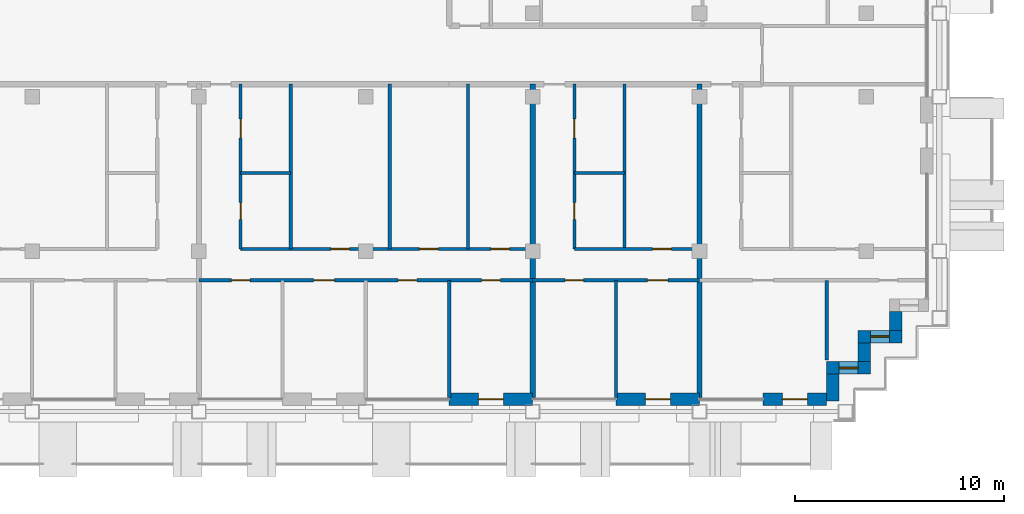
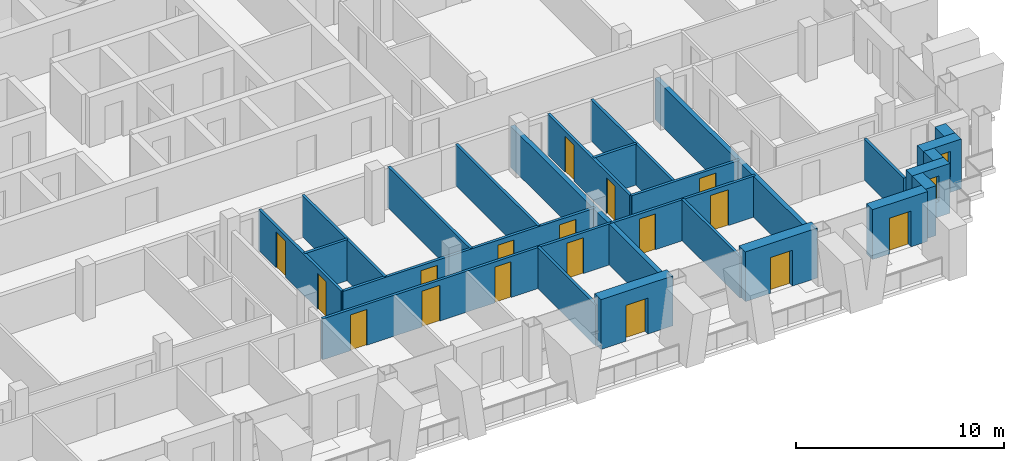
# One storey, part 9 of 16: 25 walls, 17 doors, 2 windows, 19 openings.
"""IFC4 building model written with IfcOpenShell, lengths in metres."""

import ifcopenshell
import ifcopenshell.guid

model = None  # the IFC model being written
_history = None  # IfcOwnerHistory: only IFC2X3 demands one
_inside = {}  # id of a spatial element -> (the spatial element, [elements in it])
_under = {}  # id of a project, library or spatial element -> (it, [spatial elements below it])
_declared = {}  # id of a project -> (the project, [libraries it declares])
_typed = {}  # id of a type object -> (the type object, [elements of that type])
_made_of = {}  # id of a material, layer set ... -> (it, [elements and type objects made of it])


def new_model(schema):
    """Start an empty IFC model of exactly this schema.

    Asked for "IFC4X3", IfcOpenShell would pick the latest addendum, in which some entities
    have other attributes; the version numbers below select the first issue.
    IFC2X3 requires an IfcOwnerHistory on every rooted entity: one is made here for all.
    """
    global model, _history
    if schema == "IFC4X3":
        model = ifcopenshell.file(schema_version=(4, 3, 0, 0))
    else:
        model = ifcopenshell.file(schema=schema)
    _inside.clear()
    _under.clear()
    _declared.clear()
    _typed.clear()
    _made_of.clear()
    _history = None
    if model.schema == "IFC2X3":
        org = make("IfcOrganization", Name="unknown")
        user = make(
            "IfcPersonAndOrganization",
            ThePerson=make("IfcPerson", FamilyName="unknown"),
            TheOrganization=org,
        )
        app = make(
            "IfcApplication",
            ApplicationDeveloper=org,
            Version="unknown",
            ApplicationFullName="unknown",
            ApplicationIdentifier="unknown",
        )
        _history = make(
            "IfcOwnerHistory",
            OwningUser=user,
            OwningApplication=app,
            ChangeAction="ADDED",
            CreationDate=0,
        )
    return model


def make(cls, **values):
    """One entity of the class cls with the attributes given. An attribute that is None is left unset."""
    return model.create_entity(
        cls, **{name: value for name, value in values.items() if value is not None}
    )


def rooted(cls, **values):
    """An entity with a GlobalId (a new one), such as an element, a storey or a relation."""
    return make(cls, GlobalId=ifcopenshell.guid.new(), OwnerHistory=_history, **values)


def si_unit(unit_type, name, prefix=None):
    """IfcSIUnit, for example si_unit("LENGTHUNIT", "METRE", prefix="MILLI")."""
    return make("IfcSIUnit", UnitType=unit_type, Prefix=prefix, Name=name)


def assignment(units):
    """IfcUnitAssignment: the units of a project."""
    return None if units is None else make("IfcUnitAssignment", Units=units)


def point(xyz):
    """IfcCartesianPoint."""
    return None if xyz is None else make("IfcCartesianPoint", Coordinates=xyz)


def direction(xyz):
    """IfcDirection."""
    return None if xyz is None else make("IfcDirection", DirectionRatios=xyz)


def frame(location, z_axis=None, x_axis=None):
    """IfcAxis2Placement3D, a coordinate frame: its origin and axes. An axis left out is left unset."""
    return make(
        "IfcAxis2Placement3D",
        Location=point(location),
        Axis=direction(z_axis),
        RefDirection=direction(x_axis),
    )


def frame_2d(location, x_axis=None):
    """IfcAxis2Placement2D, a coordinate frame in the plane: its origin and x axis."""
    return make(
        "IfcAxis2Placement2D", Location=point(location), RefDirection=direction(x_axis)
    )


def origin():
    """The frame at (0, 0, 0) with its axes left unset."""
    return frame((0.0, 0.0, 0.0))


def place(relative_to, where):
    """IfcLocalPlacement: puts the frame where relative to a parent placement (None: the world)."""
    return make(
        "IfcLocalPlacement", PlacementRelTo=relative_to, RelativePlacement=where
    )


def context(
    kind, dimensions, precision=None, world=None, true_north=None, identifier=None
):
    """IfcGeometricRepresentationContext, for example the 3D "Model" context."""
    return make(
        "IfcGeometricRepresentationContext",
        ContextIdentifier=identifier,
        ContextType=kind,
        CoordinateSpaceDimension=dimensions,
        Precision=precision,
        WorldCoordinateSystem=world,
        TrueNorth=true_north,
    )


def subcontext(parent, identifier, kind, view, scale=None):
    """IfcGeometricRepresentationSubContext, for example "Body" below "Model"."""
    return make(
        "IfcGeometricRepresentationSubContext",
        ContextIdentifier=identifier,
        ContextType=kind,
        ParentContext=parent,
        TargetScale=scale,
        TargetView=view,
    )


def project(units=None, contexts=None):
    """IfcProject with its units and contexts."""
    return rooted(
        "IfcProject",
        Name="project",
        RepresentationContexts=contexts,
        UnitsInContext=assignment(units),
    )


def spatial(cls, under=None, at=None, **own):
    """A site, building, storey or space (cls), placed at a placement, below another one or the project."""
    s = rooted(cls, ObjectPlacement=at, **own)
    if under is not None:
        _under.setdefault(under.id(), (under, []))[1].append(s)
    return s


def profile(cls, at=None, kind="AREA", **sizes):
    """A parametric profile (cls). Its sizes go by their IFC names, for example OverallWidth=200.0."""
    return make(cls, ProfileType=kind, Position=at, **sizes)


def rectangle(**sizes):
    """IfcRectangleProfileDef."""
    return profile("IfcRectangleProfileDef", **sizes)


def extrude(swept, where, along, depth):
    """IfcExtrudedAreaSolid: the profile swept, set in the frame where, extruded along a direction by depth."""
    return make(
        "IfcExtrudedAreaSolid",
        SweptArea=swept,
        Position=where,
        ExtrudedDirection=direction(along),
        Depth=depth,
    )


def shape(context_of_items, identifier, shape_type, items):
    """IfcShapeRepresentation: the items that make up one representation, for example the "Body"."""
    return make(
        "IfcShapeRepresentation",
        ContextOfItems=context_of_items,
        RepresentationIdentifier=identifier,
        RepresentationType=shape_type,
        Items=items,
    )


def material(Name=None, Category=None):
    """IfcMaterial."""
    return make("IfcMaterial", Name=Name, Category=Category)


def layer(
    of_material, thickness, ventilated=None, Name=None, Category=None, Priority=None
):
    """IfcMaterialLayer: one layer of a wall or slab, of a material (None: an air gap)."""
    return make(
        "IfcMaterialLayer",
        Material=of_material,
        LayerThickness=thickness,
        IsVentilated=ventilated,
        Name=Name,
        Category=Category,
        Priority=Priority,
    )


def layer_set(layers, Name=None):
    """IfcMaterialLayerSet."""
    return make("IfcMaterialLayerSet", MaterialLayers=layers, LayerSetName=Name)


def made_of(thing, what):
    """Note that an element or type object is made of a material, layer set ...; save() writes the relation."""
    if what is not None:
        _made_of.setdefault(what.id(), (what, []))[1].append(thing)
    return thing


def type_object(cls, material=None, **own):
    """A type object (cls), such as IfcWallType, which elements share."""
    return made_of(rooted(cls, **own), material)


def element(
    cls,
    number,
    at=None,
    inside=None,
    cuts=None,
    type_object=None,
    material=None,
    context=None,
    identifier="Body",
    shape_type=None,
    held_by="IfcProductDefinitionShape",
    body=None,
    shapes=None,
    **own,
):
    """One element of the class cls, such as IfcWall. Its Tag is "e" and its number.

    at: its placement. inside: the storey or other place that contains it. cuts: it is an
    opening in that element (IfcRelVoidsElement). A single representation is given by context,
    identifier, shape_type and body (its items); several are given by shapes. held_by: the class
    of the entity that holds the representations. save() writes the other relations.
    """
    e = rooted(cls, Tag="e%d" % number, ObjectPlacement=at, **own)
    if body is not None:
        shapes = [shape(context, identifier, shape_type, body)]
    if shapes is not None:
        e.Representation = make(held_by, Representations=shapes)
    if inside is not None:
        _inside.setdefault(inside.id(), (inside, []))[1].append(e)
    if cuts is not None:
        rooted(
            "IfcRelVoidsElement", RelatingBuildingElement=cuts, RelatedOpeningElement=e
        )
    if type_object is not None:
        _typed.setdefault(type_object.id(), (type_object, []))[1].append(e)
    return made_of(e, material)


def fill(opening, filler):
    """IfcRelFillsElement: the door or window that sits in an opening."""
    return rooted(
        "IfcRelFillsElement",
        RelatingOpeningElement=opening,
        RelatedBuildingElement=filler,
    )


def aggregate(whole, parts):
    """IfcRelAggregates: a whole, such as a stair, and the parts it consists of."""
    return rooted("IfcRelAggregates", RelatingObject=whole, RelatedObjects=parts)


def save(model, path):
    """Write the relations noted so far, then the file.

    IfcRelAggregates (storeys below a building ...), IfcRelContainedInSpatialStructure (elements
    in a storey), IfcRelDefinesByType, IfcRelAssociatesMaterial and IfcRelDeclares: one each for
    every whole, place, type object, material and project.
    """
    for whole, parts in _under.values():
        aggregate(whole, parts)
    for where, things in _inside.values():
        rooted(
            "IfcRelContainedInSpatialStructure",
            RelatedElements=things,
            RelatingStructure=where,
        )
    for kind, things in _typed.values():
        rooted("IfcRelDefinesByType", RelatedObjects=things, RelatingType=kind)
    for what, things in _made_of.values():
        rooted("IfcRelAssociatesMaterial", RelatedObjects=things, RelatingMaterial=what)
    for by, libraries in _declared.values():
        rooted("IfcRelDeclares", RelatingContext=by, RelatedDefinitions=libraries)
    model.write(path)


model = new_model("IFC4")

# Units and contexts
model_context = context("Model", 3, precision=1e-05, world=origin(), true_north=direction((0.0, 1.0)))
body_context = subcontext(model_context, "Body", "Model", "MODEL_VIEW")
ifc_project = project(units=[si_unit("LENGTHUNIT", "METRE"), si_unit("AREAUNIT", "SQUARE_METRE"), si_unit("VOLUMEUNIT", "CUBIC_METRE"), si_unit("PLANEANGLEUNIT", "RADIAN"), si_unit("MASSUNIT", "GRAM", prefix="KILO")], contexts=[model_context])

# Site, building, storey
site_placement = place(None, origin())
site = spatial("IfcSite", under=ifc_project, at=site_placement, CompositionType="ELEMENT")
building_placement = place(site_placement, origin())
building = spatial("IfcBuilding", under=site, at=building_placement, Name="Vidyagriha Tower", CompositionType="ELEMENT")
storey_placement = place(building_placement, frame((0.0, 0.0, 181.300048828125)))
storey = spatial("IfcBuildingStorey", under=building, at=storey_placement, Name="L47", CompositionType="ELEMENT", Elevation=181.300048828125)

# Wall, opening, door
ifc_material_1 = material(Name="Precast concrete C40/50 with brick facing", Category="concrete")
ifc_layer_1 = layer(ifc_material_1, 0.60009765625)
ifc_layer_set_1 = layer_set([ifc_layer_1], Name="Precast concrete C40/50 with brick facing")
wall_type_1 = type_object("IfcWallType", Name="Brick-faced precast wall 600", PredefinedType="STANDARD", material=ifc_layer_set_1)
wall_1_placement = place(storey_placement, frame((14.0, -16.5, 0.0)))
wall_1 = element("IfcWall", 1, at=wall_1_placement, inside=storey, type_object=wall_type_1, Name="Brick door bay wall L47 R23.10", PredefinedType="STANDARD", context=body_context, shape_type="SweptSolid", body=[
    extrude(rectangle(XDim=4.0, YDim=0.60009765625, at=frame_2d((2.0, 0.0))), origin(), (0.0, 0.0, 1.0), 2.919921875),
])
opening_1_placement = place(wall_1_placement, frame((1.39990234375, 0.0, 0.0)))
opening_1 = element("IfcOpeningElement", 2, at=opening_1_placement, cuts=wall_1, Name="Opening D47-75", PredefinedType="OPENING", context=body_context, shape_type="SweptSolid", body=[
    extrude(rectangle(XDim=1.199951171875, YDim=2.10009765625, at=frame_2d((0.60009765625, 1.050048828125))), frame((0.0, 0.31005859375, 0.0), z_axis=(0.0, -1.0, 0.0), x_axis=(1.0, 0.0, 0.0)), (0.0, 0.0, 1.0), 0.6201171875),
])
ifc_material_2 = material(Name="Aluminium framed glazed sliding door", Category="aluminium")
door_type_1 = type_object("IfcDoorType", Name="Balcony sliding door 1200x2100", OperationType="NOTDEFINED", PredefinedType="DOOR", material=ifc_material_2)
door_1_placement = place(opening_1_placement, origin())
door_1 = element("IfcDoor", 3, at=door_1_placement, inside=storey, type_object=door_type_1, Name="Door D47-75", OperationType="SLIDING_TO_LEFT", OverallHeight=2.10009765625, OverallWidth=1.199951171875, PredefinedType="DOOR", context=body_context, shape_type="SweptSolid", body=[
    extrude(rectangle(XDim=1.199951171875, YDim=2.10009765625, at=frame_2d((0.60009765625, 1.050048828125))), frame((0.0, 0.02490234375, 0.0), z_axis=(0.0, -1.0, 0.0), x_axis=(1.0, 0.0, 0.0)), (0.0, 0.0, 1.0), 0.050048828125),
])
fill(opening_1, door_1)

wall_2_placement = place(storey_placement, frame((22.0, -16.5, 0.0)))
wall_2 = element("IfcWall", 4, at=wall_2_placement, inside=storey, type_object=wall_type_1, Name="Brick door bay wall L47 R23.12", PredefinedType="STANDARD", context=body_context, shape_type="SweptSolid", body=[
    extrude(rectangle(XDim=4.0, YDim=0.60009765625, at=frame_2d((2.0, 0.0))), origin(), (0.0, 0.0, 1.0), 2.919921875),
])
opening_2_placement = place(wall_2_placement, frame((1.39990234375, 0.0, 0.0)))
opening_2 = element("IfcOpeningElement", 5, at=opening_2_placement, cuts=wall_2, Name="Opening D47-76", PredefinedType="OPENING", context=body_context, shape_type="SweptSolid", body=[
    extrude(rectangle(XDim=1.199951171875, YDim=2.10009765625, at=frame_2d((0.60009765625, 1.050048828125))), frame((0.0, 0.31005859375, 0.0), z_axis=(0.0, -1.0, 0.0), x_axis=(1.0, 0.0, 0.0)), (0.0, 0.0, 1.0), 0.6201171875),
])
door_2_placement = place(opening_2_placement, origin())
door_2 = element("IfcDoor", 6, at=door_2_placement, inside=storey, type_object=door_type_1, Name="Door D47-76", OperationType="SLIDING_TO_LEFT", OverallHeight=2.10009765625, OverallWidth=1.199951171875, PredefinedType="DOOR", context=body_context, shape_type="SweptSolid", body=[
    extrude(rectangle(XDim=1.199951171875, YDim=2.10009765625, at=frame_2d((0.60009765625, 1.050048828125))), frame((0.0, 0.02490234375, 0.0), z_axis=(0.0, -1.0, 0.0), x_axis=(1.0, 0.0, 0.0)), (0.0, 0.0, 1.0), 0.050048828125),
])
fill(opening_2, door_2)

wall_3_placement = place(storey_placement, frame((29.050048828125, -16.5, 0.0)))
wall_3 = element("IfcWall", 7, at=wall_3_placement, inside=storey, type_object=wall_type_1, Name="Brick door bay wall L47 R23.14", PredefinedType="STANDARD", context=body_context, shape_type="SweptSolid", body=[
    extrude(rectangle(XDim=3.050048828125, YDim=0.60009765625, at=frame_2d((1.52490234375, 0.0))), origin(), (0.0, 0.0, 1.0), 2.919921875),
])
opening_3_placement = place(wall_3_placement, frame((0.925048828125, 0.0, 0.0)))
opening_3 = element("IfcOpeningElement", 8, at=opening_3_placement, cuts=wall_3, Name="Opening D47-77", PredefinedType="OPENING", context=body_context, shape_type="SweptSolid", body=[
    extrude(rectangle(XDim=1.199951171875, YDim=2.10009765625, at=frame_2d((0.60009765625, 1.050048828125))), frame((0.0, 0.31005859375, 0.0), z_axis=(0.0, -1.0, 0.0), x_axis=(1.0, 0.0, 0.0)), (0.0, 0.0, 1.0), 0.6201171875),
])
door_3_placement = place(opening_3_placement, origin())
door_3 = element("IfcDoor", 9, at=door_3_placement, inside=storey, type_object=door_type_1, Name="Door D47-77", OperationType="SLIDING_TO_LEFT", OverallHeight=2.10009765625, OverallWidth=1.199951171875, PredefinedType="DOOR", context=body_context, shape_type="SweptSolid", body=[
    extrude(rectangle(XDim=1.199951171875, YDim=2.10009765625, at=frame_2d((0.60009765625, 1.050048828125))), frame((0.0, 0.02490234375, 0.0), z_axis=(0.0, -1.0, 0.0), x_axis=(1.0, 0.0, 0.0)), (0.0, 0.0, 1.0), 0.050048828125),
])
fill(opening_3, door_3)

# Wall
wall_4_placement = place(storey_placement, frame((32.39990234375, -16.580078125, 0.0), z_axis=(0.0, 0.0, 1.0), x_axis=(0.0, 1.0, 0.0)))
element("IfcWall", 10, at=wall_4_placement, inside=storey, type_object=wall_type_1, Name="Stepped corner wall L47 R24", PredefinedType="STANDARD", context=body_context, shape_type="SweptSolid", body=[
    extrude(rectangle(XDim=1.280029296875, YDim=0.60009765625, at=frame_2d((0.64013671875, 0.0))), origin(), (0.0, 0.0, 1.0), 2.919921875),
])

# Wall, opening, window
wall_5_placement = place(storey_placement, frame((32.10009765625, -15.0, 0.0)))
wall_5 = element("IfcWall", 11, at=wall_5_placement, inside=storey, type_object=wall_type_1, Name="Stepped corner wall L47 R25", PredefinedType="STANDARD", context=body_context, shape_type="SweptSolid", body=[
    extrude(rectangle(XDim=2.099853515625, YDim=0.60009765625, at=frame_2d((1.0498046875, 0.0))), origin(), (0.0, 0.0, 1.0), 2.919921875),
])
opening_4_placement = place(wall_5_placement, frame((0.60009765625, 0.0, 0.89990234375)))
opening_4 = element("IfcOpeningElement", 12, at=opening_4_placement, cuts=wall_5, Name="Opening WN1", PredefinedType="OPENING", context=body_context, shape_type="SweptSolid", body=[
    extrude(rectangle(XDim=0.89990234375, YDim=1.5, at=frame_2d((0.449951171875, 0.75))), frame((0.0, 0.31005859375, 0.0), z_axis=(0.0, -1.0, 0.0), x_axis=(1.0, 0.0, 0.0)), (0.0, 0.0, 1.0), 0.6201171875),
])
ifc_material_3 = material(Name="Aluminium and glass window", Category="aluminium")
window_type = type_object("IfcWindowType", Name="Reveal window 900x1500", PartitioningType="NOTDEFINED", PredefinedType="WINDOW", material=ifc_material_3)
window_1_placement = place(opening_4_placement, origin())
window_1 = element("IfcWindow", 13, at=window_1_placement, inside=storey, type_object=window_type, Name="Reveal window L47 R25", OverallHeight=1.5, OverallWidth=0.89990234375, PartitioningType="SINGLE_PANEL", PredefinedType="WINDOW", context=body_context, shape_type="SweptSolid", body=[
    extrude(rectangle(XDim=0.89990234375, YDim=1.5, at=frame_2d((0.449951171875, 0.75))), frame((0.0, 0.030029296875, 0.0), z_axis=(0.0, -1.0, 0.0), x_axis=(1.0, 0.0, 0.0)), (0.0, 0.0, 1.0), 0.06005859375),
])
fill(opening_4, window_1)

# Wall
wall_6_placement = place(storey_placement, frame((33.89990234375, -14.699951171875, 0.0), z_axis=(0.0, 0.0, 1.0), x_axis=(0.0, 1.0, 0.0)))
element("IfcWall", 14, at=wall_6_placement, inside=storey, type_object=wall_type_1, Name="Stepped corner wall L47 R26", PredefinedType="STANDARD", context=body_context, shape_type="SweptSolid", body=[
    extrude(rectangle(XDim=0.89990234375, YDim=0.60009765625, at=frame_2d((0.449951171875, 0.0))), origin(), (0.0, 0.0, 1.0), 2.919921875),
])

# Wall, opening, window
wall_7_placement = place(storey_placement, frame((33.60009765625, -13.5, 0.0)))
wall_7 = element("IfcWall", 15, at=wall_7_placement, inside=storey, type_object=wall_type_1, Name="Stepped corner wall L47 R27", PredefinedType="STANDARD", context=body_context, shape_type="SweptSolid", body=[
    extrude(rectangle(XDim=2.099853515625, YDim=0.60009765625, at=frame_2d((1.0498046875, 0.0))), origin(), (0.0, 0.0, 1.0), 2.919921875),
])
opening_5_placement = place(wall_7_placement, frame((0.60009765625, 0.0, 0.89990234375)))
opening_5 = element("IfcOpeningElement", 16, at=opening_5_placement, cuts=wall_7, Name="Opening WN1", PredefinedType="OPENING", context=body_context, shape_type="SweptSolid", body=[
    extrude(rectangle(XDim=0.89990234375, YDim=1.5, at=frame_2d((0.449951171875, 0.75))), frame((0.0, 0.31005859375, 0.0), z_axis=(0.0, -1.0, 0.0), x_axis=(1.0, 0.0, 0.0)), (0.0, 0.0, 1.0), 0.6201171875),
])
window_2_placement = place(opening_5_placement, origin())
window_2 = element("IfcWindow", 17, at=window_2_placement, inside=storey, type_object=window_type, Name="Reveal window L47 R27", OverallHeight=1.5, OverallWidth=0.89990234375, PartitioningType="SINGLE_PANEL", PredefinedType="WINDOW", context=body_context, shape_type="SweptSolid", body=[
    extrude(rectangle(XDim=0.89990234375, YDim=1.5, at=frame_2d((0.449951171875, 0.75))), frame((0.0, 0.030029296875, 0.0), z_axis=(0.0, -1.0, 0.0), x_axis=(1.0, 0.0, 0.0)), (0.0, 0.0, 1.0), 0.06005859375),
])
fill(opening_5, window_2)

# Walls
wall_8_placement = place(storey_placement, frame((35.39990234375, -13.199951171875, 0.0), z_axis=(0.0, 0.0, 1.0), x_axis=(0.0, 1.0, 0.0)))
element("IfcWall", 18, at=wall_8_placement, inside=storey, type_object=wall_type_1, Name="Stepped corner wall L47 R28", PredefinedType="STANDARD", context=body_context, shape_type="SweptSolid", body=[
    extrude(rectangle(XDim=0.89990234375, YDim=0.60009765625, at=frame_2d((0.449951171875, 0.0))), origin(), (0.0, 0.0, 1.0), 2.919921875),
])
ifc_material_4 = material(Name="Fired clay brick masonry", Category="masonry")
ifc_layer_2 = layer(ifc_material_4, 0.25)
ifc_layer_set_2 = layer_set([ifc_layer_2], Name="Fired clay brick masonry")
wall_type_2 = type_object("IfcWallType", Name="Fired clay brick demising wall 250", PredefinedType="PARTITIONING", material=ifc_layer_set_2)
for number, where, z_axis, x_axis, name in (
    (19, (18.0, -1.39990234375, 0.0), (0.0, 0.0, 1.0), (0.0, -1.0, 0.0), "Wall all-L47-w056"),
    (20, (26.0, -1.39990234375, 0.0), (0.0, 0.0, 1.0), (0.0, -1.0, 0.0), "Wall all-L47-w069"),
):
    element("IfcWall", number, at=place(storey_placement, frame(where, z_axis=z_axis, x_axis=x_axis)), inside=storey, type_object=wall_type_2, Name=name, PredefinedType="PARTITIONING", context=body_context, shape_type="SweptSolid", body=[
        extrude(rectangle(XDim=15.010009765625, YDim=0.25, at=frame_2d((7.5048828125, 0.0))), origin(), (0.0, 0.0, 1.0), 2.39990234375),
    ])
ifc_material_5 = material(Name="Gypsum board partition")
ifc_layer_3 = layer(ifc_material_5, 0.14990234375)
ifc_layer_set_3 = layer_set([ifc_layer_3], Name="Gypsum board partition")
wall_type_3 = type_object("IfcWallType", Name="Gypsum board partition 150", PredefinedType="PARTITIONING", material=ifc_layer_set_3)
wall_9_placement = place(storey_placement, frame((6.39990234375, -5.64990234375, 0.0), z_axis=(0.0, 0.0, 1.0), x_axis=(-1.0, 0.0, 0.0)))
element("IfcWall", 21, at=wall_9_placement, inside=storey, type_object=wall_type_3, Name="Wall all-L47-w026", PredefinedType="PARTITIONING", context=body_context, shape_type="SweptSolid", body=[
    extrude(rectangle(XDim=2.39990234375, YDim=0.14990234375, at=frame_2d((1.199951171875, 0.0))), origin(), (0.0, 0.0, 1.0), 2.39990234375),
])
for number, where, z_axis, x_axis, name in (
    (22, (6.39990234375, -1.39990234375, 0.0), (0.0, 0.0, 1.0), (0.0, -1.0, 0.0), "Wall all-L47-w027"),
    (23, (11.14990234375, -1.39990234375, 0.0), (0.0, 0.0, 1.0), (0.0, -1.0, 0.0), "Wall all-L47-w028"),
    (24, (14.89990234375, -1.39990234375, 0.0), (0.0, 0.0, 1.0), (0.0, -1.0, 0.0), "Wall all-L47-w029"),
):
    element("IfcWall", number, at=place(storey_placement, frame(where, z_axis=z_axis, x_axis=x_axis)), inside=storey, type_object=wall_type_3, Name=name, PredefinedType="PARTITIONING", context=body_context, shape_type="SweptSolid", body=[
        extrude(rectangle(XDim=7.900146484375, YDim=0.14990234375, at=frame_2d((3.9501953125, 0.0))), origin(), (0.0, 0.0, 1.0), 2.39990234375),
    ])

# Wall, openings, doors
wall_10_placement = place(storey_placement, frame((4.0, -9.300048828125, 0.0)))
wall_10 = element("IfcWall", 25, at=wall_10_placement, inside=storey, type_object=wall_type_3, Name="Wall all-L47-w030", PredefinedType="PARTITIONING", context=body_context, shape_type="SweptSolid", body=[
    extrude(rectangle(XDim=14.0, YDim=0.14990234375, at=frame_2d((7.0, 0.0))), origin(), (0.0, 0.0, 1.0), 2.39990234375),
])
opening_6_placement = place(wall_10_placement, frame((4.324951171875, 0.0, 0.0)))
opening_6 = element("IfcOpeningElement", 26, at=opening_6_placement, cuts=wall_10, Name="Opening D47-31", PredefinedType="OPENING", context=body_context, shape_type="SweptSolid", body=[
    extrude(rectangle(XDim=0.89990234375, YDim=2.10009765625, at=frame_2d((0.449951171875, 1.050048828125))), frame((0.0, 0.0849609375, 0.0), z_axis=(0.0, -1.0, 0.0), x_axis=(1.0, 0.0, 0.0)), (0.0, 0.0, 1.0), 0.169921875),
])
opening_7_placement = place(wall_10_placement, frame((8.574951171875, 0.0, 0.0)))
opening_7 = element("IfcOpeningElement", 27, at=opening_7_placement, cuts=wall_10, Name="Opening D47-32", PredefinedType="OPENING", context=body_context, shape_type="SweptSolid", body=[
    extrude(rectangle(XDim=0.89990234375, YDim=2.10009765625, at=frame_2d((0.449951171875, 1.050048828125))), frame((0.0, 0.0849609375, 0.0), z_axis=(0.0, -1.0, 0.0), x_axis=(1.0, 0.0, 0.0)), (0.0, 0.0, 1.0), 0.169921875),
])
opening_8_placement = place(wall_10_placement, frame((12.0, 0.0, 0.0)))
opening_8 = element("IfcOpeningElement", 28, at=opening_8_placement, cuts=wall_10, Name="Opening D47-33", PredefinedType="OPENING", context=body_context, shape_type="SweptSolid", body=[
    extrude(rectangle(XDim=0.89990234375, YDim=2.10009765625, at=frame_2d((0.449951171875, 1.050048828125))), frame((0.0, 0.0849609375, 0.0), z_axis=(0.0, -1.0, 0.0), x_axis=(1.0, 0.0, 0.0)), (0.0, 0.0, 1.0), 0.169921875),
])
ifc_material_6 = material(Name="Timber door leaf", Category="wood")
door_type_2 = type_object("IfcDoorType", Name="Room door 900x2100", OperationType="NOTDEFINED", PredefinedType="DOOR", material=ifc_material_6)
door_4_placement = place(opening_6_placement, origin())
door_4 = element("IfcDoor", 29, at=door_4_placement, inside=storey, type_object=door_type_2, Name="Door D47-31", OperationType="SINGLE_SWING_RIGHT", OverallHeight=2.10009765625, OverallWidth=0.89990234375, PredefinedType="DOOR", context=body_context, shape_type="SweptSolid", body=[
    extrude(rectangle(XDim=0.89990234375, YDim=2.10009765625, at=frame_2d((0.449951171875, 1.050048828125))), frame((0.0, 0.02490234375, 0.0), z_axis=(0.0, -1.0, 0.0), x_axis=(1.0, 0.0, 0.0)), (0.0, 0.0, 1.0), 0.050048828125),
])
fill(opening_6, door_4)
door_5_placement = place(opening_7_placement, origin())
door_5 = element("IfcDoor", 30, at=door_5_placement, inside=storey, type_object=door_type_2, Name="Door D47-32", OperationType="SINGLE_SWING_RIGHT", OverallHeight=2.10009765625, OverallWidth=0.89990234375, PredefinedType="DOOR", context=body_context, shape_type="SweptSolid", body=[
    extrude(rectangle(XDim=0.89990234375, YDim=2.10009765625, at=frame_2d((0.449951171875, 1.050048828125))), frame((0.0, 0.02490234375, 0.0), z_axis=(0.0, -1.0, 0.0), x_axis=(1.0, 0.0, 0.0)), (0.0, 0.0, 1.0), 0.050048828125),
])
fill(opening_7, door_5)
door_6_placement = place(opening_8_placement, origin())
door_6 = element("IfcDoor", 31, at=door_6_placement, inside=storey, type_object=door_type_2, Name="Door D47-33", OperationType="SINGLE_SWING_LEFT", OverallHeight=2.10009765625, OverallWidth=0.89990234375, PredefinedType="DOOR", context=body_context, shape_type="SweptSolid", body=[
    extrude(rectangle(XDim=0.89990234375, YDim=2.10009765625, at=frame_2d((0.449951171875, 1.050048828125))), frame((0.0, 0.02490234375, 0.0), z_axis=(0.0, -1.0, 0.0), x_axis=(1.0, 0.0, 0.0)), (0.0, 0.0, 1.0), 0.050048828125),
])
fill(opening_8, door_6)

wall_11_placement = place(storey_placement, frame((18.0, -10.800048828125, 0.0), z_axis=(0.0, 0.0, 1.0), x_axis=(-1.0, 0.0, 0.0)))
wall_11 = element("IfcWall", 32, at=wall_11_placement, inside=storey, type_object=wall_type_3, Name="Wall all-L47-w034", PredefinedType="PARTITIONING", context=body_context, shape_type="SweptSolid", body=[
    extrude(rectangle(XDim=16.0, YDim=0.14990234375, at=frame_2d((8.0, 0.0))), origin(), (0.0, 0.0, 1.0), 2.39990234375),
])
opening_9_placement = place(wall_11_placement, frame((13.550048828125, 0.0, 0.0)))
opening_9 = element("IfcOpeningElement", 33, at=opening_9_placement, cuts=wall_11, Name="Opening D47-34", PredefinedType="OPENING", context=body_context, shape_type="SweptSolid", body=[
    extrude(rectangle(XDim=0.89990234375, YDim=2.10009765625, at=frame_2d((0.449951171875, 1.050048828125))), frame((0.0, 0.0849609375, 0.0), z_axis=(0.0, -1.0, 0.0), x_axis=(1.0, 0.0, 0.0)), (0.0, 0.0, 1.0), 0.169921875),
])
opening_10_placement = place(wall_11_placement, frame((9.5, 0.0, 0.0)))
opening_10 = element("IfcOpeningElement", 34, at=opening_10_placement, cuts=wall_11, Name="Opening D47-35", PredefinedType="OPENING", context=body_context, shape_type="SweptSolid", body=[
    extrude(rectangle(XDim=1.0, YDim=2.10009765625, at=frame_2d((0.5, 1.050048828125))), frame((0.0, 0.0849609375, 0.0), z_axis=(0.0, -1.0, 0.0), x_axis=(1.0, 0.0, 0.0)), (0.0, 0.0, 1.0), 0.169921875),
])
opening_11_placement = place(wall_11_placement, frame((5.550048828125, 0.0, 0.0)))
opening_11 = element("IfcOpeningElement", 35, at=opening_11_placement, cuts=wall_11, Name="Opening D47-36", PredefinedType="OPENING", context=body_context, shape_type="SweptSolid", body=[
    extrude(rectangle(XDim=0.89990234375, YDim=2.10009765625, at=frame_2d((0.449951171875, 1.050048828125))), frame((0.0, 0.0849609375, 0.0), z_axis=(0.0, -1.0, 0.0), x_axis=(1.0, 0.0, 0.0)), (0.0, 0.0, 1.0), 0.169921875),
])
opening_12_placement = place(wall_11_placement, frame((1.550048828125, 0.0, 0.0)))
opening_12 = element("IfcOpeningElement", 36, at=opening_12_placement, cuts=wall_11, Name="Opening D47-37", PredefinedType="OPENING", context=body_context, shape_type="SweptSolid", body=[
    extrude(rectangle(XDim=0.89990234375, YDim=2.10009765625, at=frame_2d((0.449951171875, 1.050048828125))), frame((0.0, 0.0849609375, 0.0), z_axis=(0.0, -1.0, 0.0), x_axis=(1.0, 0.0, 0.0)), (0.0, 0.0, 1.0), 0.169921875),
])
ifc_material_7 = material(Name="Timber door leaf", Category="wood")
door_type_3 = type_object("IfcDoorType", Name="Room door 1000x2100", OperationType="NOTDEFINED", PredefinedType="DOOR", material=ifc_material_7)
door_7_placement = place(opening_10_placement, origin())
door_7 = element("IfcDoor", 37, at=door_7_placement, inside=storey, type_object=door_type_3, Name="Door D47-35", OperationType="SINGLE_SWING_RIGHT", OverallHeight=2.10009765625, OverallWidth=1.0, PredefinedType="DOOR", context=body_context, shape_type="SweptSolid", body=[
    extrude(rectangle(XDim=1.0, YDim=2.10009765625, at=frame_2d((0.5, 1.050048828125))), frame((0.0, 0.02490234375, 0.0), z_axis=(0.0, -1.0, 0.0), x_axis=(1.0, 0.0, 0.0)), (0.0, 0.0, 1.0), 0.050048828125),
])
fill(opening_10, door_7)
door_8_placement = place(opening_9_placement, origin())
door_8 = element("IfcDoor", 38, at=door_8_placement, inside=storey, type_object=door_type_2, Name="Door D47-34", OperationType="SINGLE_SWING_RIGHT", OverallHeight=2.10009765625, OverallWidth=0.89990234375, PredefinedType="DOOR", context=body_context, shape_type="SweptSolid", body=[
    extrude(rectangle(XDim=0.89990234375, YDim=2.10009765625, at=frame_2d((0.449951171875, 1.050048828125))), frame((0.0, 0.02490234375, 0.0), z_axis=(0.0, -1.0, 0.0), x_axis=(1.0, 0.0, 0.0)), (0.0, 0.0, 1.0), 0.050048828125),
])
fill(opening_9, door_8)
door_9_placement = place(opening_11_placement, origin())
door_9 = element("IfcDoor", 39, at=door_9_placement, inside=storey, type_object=door_type_2, Name="Door D47-36", OperationType="SINGLE_SWING_RIGHT", OverallHeight=2.10009765625, OverallWidth=0.89990234375, PredefinedType="DOOR", context=body_context, shape_type="SweptSolid", body=[
    extrude(rectangle(XDim=0.89990234375, YDim=2.10009765625, at=frame_2d((0.449951171875, 1.050048828125))), frame((0.0, 0.02490234375, 0.0), z_axis=(0.0, -1.0, 0.0), x_axis=(1.0, 0.0, 0.0)), (0.0, 0.0, 1.0), 0.050048828125),
])
fill(opening_11, door_9)
door_10_placement = place(opening_12_placement, origin())
door_10 = element("IfcDoor", 40, at=door_10_placement, inside=storey, type_object=door_type_2, Name="Door D47-37", OperationType="SINGLE_SWING_RIGHT", OverallHeight=2.10009765625, OverallWidth=0.89990234375, PredefinedType="DOOR", context=body_context, shape_type="SweptSolid", body=[
    extrude(rectangle(XDim=0.89990234375, YDim=2.10009765625, at=frame_2d((0.449951171875, 1.050048828125))), frame((0.0, 0.02490234375, 0.0), z_axis=(0.0, -1.0, 0.0), x_axis=(1.0, 0.0, 0.0)), (0.0, 0.0, 1.0), 0.050048828125),
])
fill(opening_12, door_10)

# Walls
wall_12_placement = place(storey_placement, frame((14.0, -10.800048828125, 0.0), z_axis=(0.0, 0.0, 1.0), x_axis=(0.0, -1.0, 0.0)))
element("IfcWall", 41, at=wall_12_placement, inside=storey, type_object=wall_type_3, Name="Wall all-L47-w041", PredefinedType="PARTITIONING", context=body_context, shape_type="SweptSolid", body=[
    extrude(rectangle(XDim=5.620849609375, YDim=0.14990234375, at=frame_2d((2.810546875, 0.0))), origin(), (0.0, 0.0, 1.0), 2.39990234375),
])
wall_13_placement = place(storey_placement, frame((22.39990234375, -5.64990234375, 0.0), z_axis=(0.0, 0.0, 1.0), x_axis=(-1.0, 0.0, 0.0)))
element("IfcWall", 42, at=wall_13_placement, inside=storey, type_object=wall_type_3, Name="Wall all-L47-w047", PredefinedType="PARTITIONING", context=body_context, shape_type="SweptSolid", body=[
    extrude(rectangle(XDim=2.39990234375, YDim=0.14990234375, at=frame_2d((1.199951171875, 0.0))), origin(), (0.0, 0.0, 1.0), 2.39990234375),
])
wall_14_placement = place(storey_placement, frame((22.39990234375, -1.39990234375, 0.0), z_axis=(0.0, 0.0, 1.0), x_axis=(0.0, -1.0, 0.0)))
element("IfcWall", 43, at=wall_14_placement, inside=storey, type_object=wall_type_3, Name="Wall all-L47-w048", PredefinedType="PARTITIONING", context=body_context, shape_type="SweptSolid", body=[
    extrude(rectangle(XDim=7.900146484375, YDim=0.14990234375, at=frame_2d((3.9501953125, 0.0))), origin(), (0.0, 0.0, 1.0), 2.39990234375),
])

# Wall, opening, door
wall_15_placement = place(storey_placement, frame((20.0, -9.300048828125, 0.0)))
wall_15 = element("IfcWall", 44, at=wall_15_placement, inside=storey, type_object=wall_type_3, Name="Wall all-L47-w049", PredefinedType="PARTITIONING", context=body_context, shape_type="SweptSolid", body=[
    extrude(rectangle(XDim=6.0, YDim=0.14990234375, at=frame_2d((3.0, 0.0))), origin(), (0.0, 0.0, 1.0), 2.39990234375),
])
opening_13_placement = place(wall_15_placement, frame((3.75, 0.0, 0.0)))
opening_13 = element("IfcOpeningElement", 45, at=opening_13_placement, cuts=wall_15, Name="Opening D47-41", PredefinedType="OPENING", context=body_context, shape_type="SweptSolid", body=[
    extrude(rectangle(XDim=0.89990234375, YDim=2.10009765625, at=frame_2d((0.449951171875, 1.050048828125))), frame((0.0, 0.0849609375, 0.0), z_axis=(0.0, -1.0, 0.0), x_axis=(1.0, 0.0, 0.0)), (0.0, 0.0, 1.0), 0.169921875),
])
door_11_placement = place(opening_13_placement, origin())
door_11 = element("IfcDoor", 46, at=door_11_placement, inside=storey, type_object=door_type_2, Name="Door D47-41", OperationType="SINGLE_SWING_RIGHT", OverallHeight=2.10009765625, OverallWidth=0.89990234375, PredefinedType="DOOR", context=body_context, shape_type="SweptSolid", body=[
    extrude(rectangle(XDim=0.89990234375, YDim=2.10009765625, at=frame_2d((0.449951171875, 1.050048828125))), frame((0.0, 0.02490234375, 0.0), z_axis=(0.0, -1.0, 0.0), x_axis=(1.0, 0.0, 0.0)), (0.0, 0.0, 1.0), 0.050048828125),
])
fill(opening_13, door_11)

# Wall, openings, doors
wall_16_placement = place(storey_placement, frame((26.0, -10.800048828125, 0.0), z_axis=(0.0, 0.0, 1.0), x_axis=(-1.0, 0.0, 0.0)))
wall_16 = element("IfcWall", 47, at=wall_16_placement, inside=storey, type_object=wall_type_3, Name="Wall all-L47-w051", PredefinedType="PARTITIONING", context=body_context, shape_type="SweptSolid", body=[
    extrude(rectangle(XDim=8.0, YDim=0.14990234375, at=frame_2d((4.0, 0.0))), origin(), (0.0, 0.0, 1.0), 2.39990234375),
])
opening_14_placement = place(wall_16_placement, frame((5.550048828125, 0.0, 0.0)))
opening_14 = element("IfcOpeningElement", 48, at=opening_14_placement, cuts=wall_16, Name="Opening D47-42", PredefinedType="OPENING", context=body_context, shape_type="SweptSolid", body=[
    extrude(rectangle(XDim=0.89990234375, YDim=2.10009765625, at=frame_2d((0.449951171875, 1.050048828125))), frame((0.0, 0.0849609375, 0.0), z_axis=(0.0, -1.0, 0.0), x_axis=(1.0, 0.0, 0.0)), (0.0, 0.0, 1.0), 0.169921875),
])
opening_15_placement = place(wall_16_placement, frame((1.5, 0.0, 0.0)))
opening_15 = element("IfcOpeningElement", 49, at=opening_15_placement, cuts=wall_16, Name="Opening D47-43", PredefinedType="OPENING", context=body_context, shape_type="SweptSolid", body=[
    extrude(rectangle(XDim=1.0, YDim=2.10009765625, at=frame_2d((0.5, 1.050048828125))), frame((0.0, 0.0849609375, 0.0), z_axis=(0.0, -1.0, 0.0), x_axis=(1.0, 0.0, 0.0)), (0.0, 0.0, 1.0), 0.169921875),
])
door_12_placement = place(opening_15_placement, origin())
door_12 = element("IfcDoor", 50, at=door_12_placement, inside=storey, type_object=door_type_3, Name="Door D47-43", OperationType="SINGLE_SWING_RIGHT", OverallHeight=2.10009765625, OverallWidth=1.0, PredefinedType="DOOR", context=body_context, shape_type="SweptSolid", body=[
    extrude(rectangle(XDim=1.0, YDim=2.10009765625, at=frame_2d((0.5, 1.050048828125))), frame((0.0, 0.02490234375, 0.0), z_axis=(0.0, -1.0, 0.0), x_axis=(1.0, 0.0, 0.0)), (0.0, 0.0, 1.0), 0.050048828125),
])
fill(opening_15, door_12)
door_13_placement = place(opening_14_placement, origin())
door_13 = element("IfcDoor", 51, at=door_13_placement, inside=storey, type_object=door_type_2, Name="Door D47-42", OperationType="SINGLE_SWING_RIGHT", OverallHeight=2.10009765625, OverallWidth=0.89990234375, PredefinedType="DOOR", context=body_context, shape_type="SweptSolid", body=[
    extrude(rectangle(XDim=0.89990234375, YDim=2.10009765625, at=frame_2d((0.449951171875, 1.050048828125))), frame((0.0, 0.02490234375, 0.0), z_axis=(0.0, -1.0, 0.0), x_axis=(1.0, 0.0, 0.0)), (0.0, 0.0, 1.0), 0.050048828125),
])
fill(opening_14, door_13)

# Walls
wall_17_placement = place(storey_placement, frame((22.0, -10.800048828125, 0.0), z_axis=(0.0, 0.0, 1.0), x_axis=(0.0, -1.0, 0.0)))
element("IfcWall", 52, at=wall_17_placement, inside=storey, type_object=wall_type_3, Name="Wall all-L47-w054", PredefinedType="PARTITIONING", context=body_context, shape_type="SweptSolid", body=[
    extrude(rectangle(XDim=5.620849609375, YDim=0.14990234375, at=frame_2d((2.810546875, 0.0))), origin(), (0.0, 0.0, 1.0), 2.39990234375),
])
wall_18_placement = place(storey_placement, frame((32.10009765625, -10.800048828125, 0.0), z_axis=(0.0, 0.0, 1.0), x_axis=(0.0, -1.0, 0.0)))
element("IfcWall", 53, at=wall_18_placement, inside=storey, type_object=wall_type_3, Name="Wall all-L47-w067", PredefinedType="PARTITIONING", context=body_context, shape_type="SweptSolid", body=[
    extrude(rectangle(XDim=3.820068359375, YDim=0.14990234375, at=frame_2d((1.91015625, 0.0))), origin(), (0.0, 0.0, 1.0), 2.39990234375),
])

# Wall, openings, doors
ifc_material_8 = material(Name="Moisture resistant gypsum board partition")
ifc_layer_4 = layer(ifc_material_8, 0.14990234375)
ifc_layer_set_4 = layer_set([ifc_layer_4], Name="Moisture resistant gypsum board partition")
wall_type_4 = type_object("IfcWallType", Name="Gypsum board wet-area partition 150", PredefinedType="PARTITIONING", material=ifc_layer_set_4)
wall_19_placement = place(storey_placement, frame((4.0, -1.39990234375, 0.0), z_axis=(0.0, 0.0, 1.0), x_axis=(0.0, -1.0, 0.0)))
wall_19 = element("IfcWall", 54, at=wall_19_placement, inside=storey, type_object=wall_type_4, Name="Wall all-L47-w023", PredefinedType="PARTITIONING", context=body_context, shape_type="SweptSolid", body=[
    extrude(rectangle(XDim=7.900146484375, YDim=0.14990234375, at=frame_2d((3.9501953125, 0.0))), origin(), (0.0, 0.0, 1.0), 2.39990234375),
])
opening_16_placement = place(wall_19_placement, frame((1.675048828125, 0.0, 0.0)))
opening_16 = element("IfcOpeningElement", 55, at=opening_16_placement, cuts=wall_19, Name="Opening D47-29", PredefinedType="OPENING", context=body_context, shape_type="SweptSolid", body=[
    extrude(rectangle(XDim=0.89990234375, YDim=2.10009765625, at=frame_2d((0.449951171875, 1.050048828125))), frame((0.0, 0.0849609375, 0.0), z_axis=(0.0, -1.0, 0.0), x_axis=(1.0, 0.0, 0.0)), (0.0, 0.0, 1.0), 0.169921875),
])
opening_17_placement = place(wall_19_placement, frame((5.675048828125, 0.0, 0.0)))
opening_17 = element("IfcOpeningElement", 56, at=opening_17_placement, cuts=wall_19, Name="Opening D47-30", PredefinedType="OPENING", context=body_context, shape_type="SweptSolid", body=[
    extrude(rectangle(XDim=0.800048828125, YDim=2.10009765625, at=frame_2d((0.39990234375, 1.050048828125))), frame((0.0, 0.0849609375, 0.0), z_axis=(0.0, -1.0, 0.0), x_axis=(1.0, 0.0, 0.0)), (0.0, 0.0, 1.0), 0.169921875),
])
ifc_material_9 = material(Name="Timber door leaf", Category="wood")
door_type_4 = type_object("IfcDoorType", Name="Bathroom door 800x2100", OperationType="NOTDEFINED", PredefinedType="DOOR", material=ifc_material_9)
door_14_placement = place(opening_17_placement, origin())
door_14 = element("IfcDoor", 57, at=door_14_placement, inside=storey, type_object=door_type_4, Name="Door D47-30", OperationType="SINGLE_SWING_LEFT", OverallHeight=2.10009765625, OverallWidth=0.800048828125, PredefinedType="DOOR", context=body_context, shape_type="SweptSolid", body=[
    extrude(rectangle(XDim=0.800048828125, YDim=2.10009765625, at=frame_2d((0.39990234375, 1.050048828125))), frame((0.0, 0.02490234375, 0.0), z_axis=(0.0, -1.0, 0.0), x_axis=(1.0, 0.0, 0.0)), (0.0, 0.0, 1.0), 0.050048828125),
])
fill(opening_17, door_14)
ifc_material_10 = material(Name="Timber door leaf", Category="wood")
door_type_5 = type_object("IfcDoorType", Name="Kitchen door 900x2100", OperationType="NOTDEFINED", PredefinedType="DOOR", material=ifc_material_10)
door_15_placement = place(opening_16_placement, origin())
door_15 = element("IfcDoor", 58, at=door_15_placement, inside=storey, type_object=door_type_5, Name="Door D47-29", OperationType="SINGLE_SWING_LEFT", OverallHeight=2.10009765625, OverallWidth=0.89990234375, PredefinedType="DOOR", context=body_context, shape_type="SweptSolid", body=[
    extrude(rectangle(XDim=0.89990234375, YDim=2.10009765625, at=frame_2d((0.449951171875, 1.050048828125))), frame((0.0, 0.02490234375, 0.0), z_axis=(0.0, -1.0, 0.0), x_axis=(1.0, 0.0, 0.0)), (0.0, 0.0, 1.0), 0.050048828125),
])
fill(opening_16, door_15)

wall_20_placement = place(storey_placement, frame((20.0, -1.39990234375, 0.0), z_axis=(0.0, 0.0, 1.0), x_axis=(0.0, -1.0, 0.0)))
wall_20 = element("IfcWall", 59, at=wall_20_placement, inside=storey, type_object=wall_type_4, Name="Wall all-L47-w044", PredefinedType="PARTITIONING", context=body_context, shape_type="SweptSolid", body=[
    extrude(rectangle(XDim=7.900146484375, YDim=0.14990234375, at=frame_2d((3.9501953125, 0.0))), origin(), (0.0, 0.0, 1.0), 2.39990234375),
])
opening_18_placement = place(wall_20_placement, frame((1.675048828125, 0.0, 0.0)))
opening_18 = element("IfcOpeningElement", 60, at=opening_18_placement, cuts=wall_20, Name="Opening D47-39", PredefinedType="OPENING", context=body_context, shape_type="SweptSolid", body=[
    extrude(rectangle(XDim=0.89990234375, YDim=2.10009765625, at=frame_2d((0.449951171875, 1.050048828125))), frame((0.0, 0.0849609375, 0.0), z_axis=(0.0, -1.0, 0.0), x_axis=(1.0, 0.0, 0.0)), (0.0, 0.0, 1.0), 0.169921875),
])
opening_19_placement = place(wall_20_placement, frame((5.675048828125, 0.0, 0.0)))
opening_19 = element("IfcOpeningElement", 61, at=opening_19_placement, cuts=wall_20, Name="Opening D47-40", PredefinedType="OPENING", context=body_context, shape_type="SweptSolid", body=[
    extrude(rectangle(XDim=0.800048828125, YDim=2.10009765625, at=frame_2d((0.39990234375, 1.050048828125))), frame((0.0, 0.0849609375, 0.0), z_axis=(0.0, -1.0, 0.0), x_axis=(1.0, 0.0, 0.0)), (0.0, 0.0, 1.0), 0.169921875),
])
door_16_placement = place(opening_19_placement, origin())
door_16 = element("IfcDoor", 62, at=door_16_placement, inside=storey, type_object=door_type_4, Name="Door D47-40", OperationType="SINGLE_SWING_LEFT", OverallHeight=2.10009765625, OverallWidth=0.800048828125, PredefinedType="DOOR", context=body_context, shape_type="SweptSolid", body=[
    extrude(rectangle(XDim=0.800048828125, YDim=2.10009765625, at=frame_2d((0.39990234375, 1.050048828125))), frame((0.0, 0.02490234375, 0.0), z_axis=(0.0, -1.0, 0.0), x_axis=(1.0, 0.0, 0.0)), (0.0, 0.0, 1.0), 0.050048828125),
])
fill(opening_19, door_16)
door_17_placement = place(opening_18_placement, origin())
door_17 = element("IfcDoor", 63, at=door_17_placement, inside=storey, type_object=door_type_5, Name="Door D47-39", OperationType="SINGLE_SWING_LEFT", OverallHeight=2.10009765625, OverallWidth=0.89990234375, PredefinedType="DOOR", context=body_context, shape_type="SweptSolid", body=[
    extrude(rectangle(XDim=0.89990234375, YDim=2.10009765625, at=frame_2d((0.449951171875, 1.050048828125))), frame((0.0, 0.02490234375, 0.0), z_axis=(0.0, -1.0, 0.0), x_axis=(1.0, 0.0, 0.0)), (0.0, 0.0, 1.0), 0.050048828125),
])
fill(opening_18, door_17)

save(model, "model.ifc")
